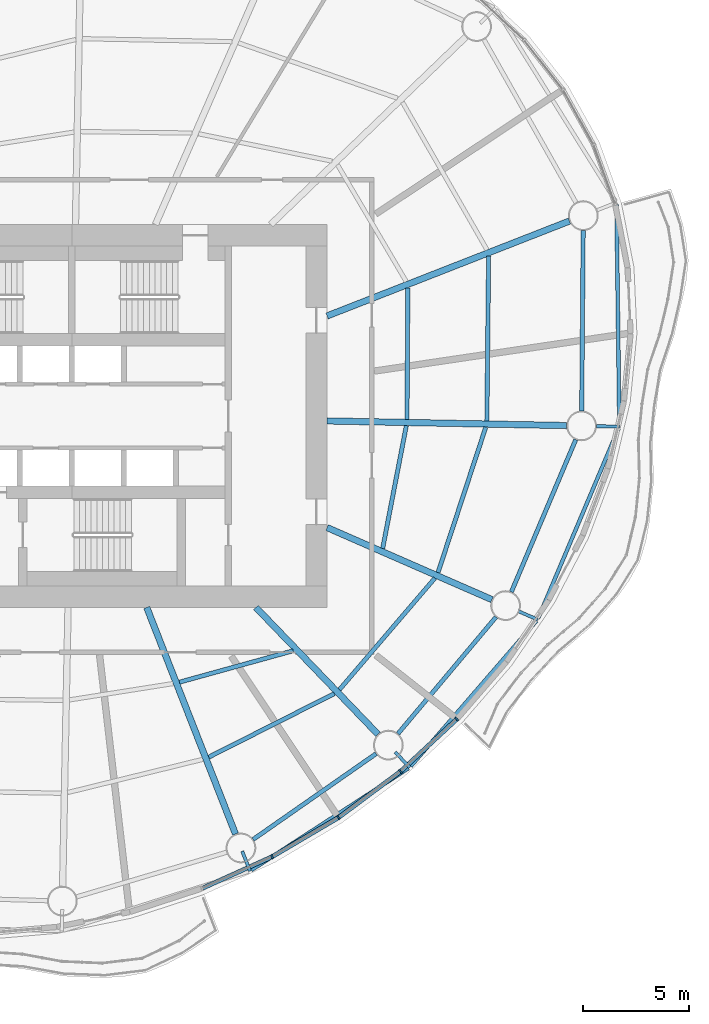
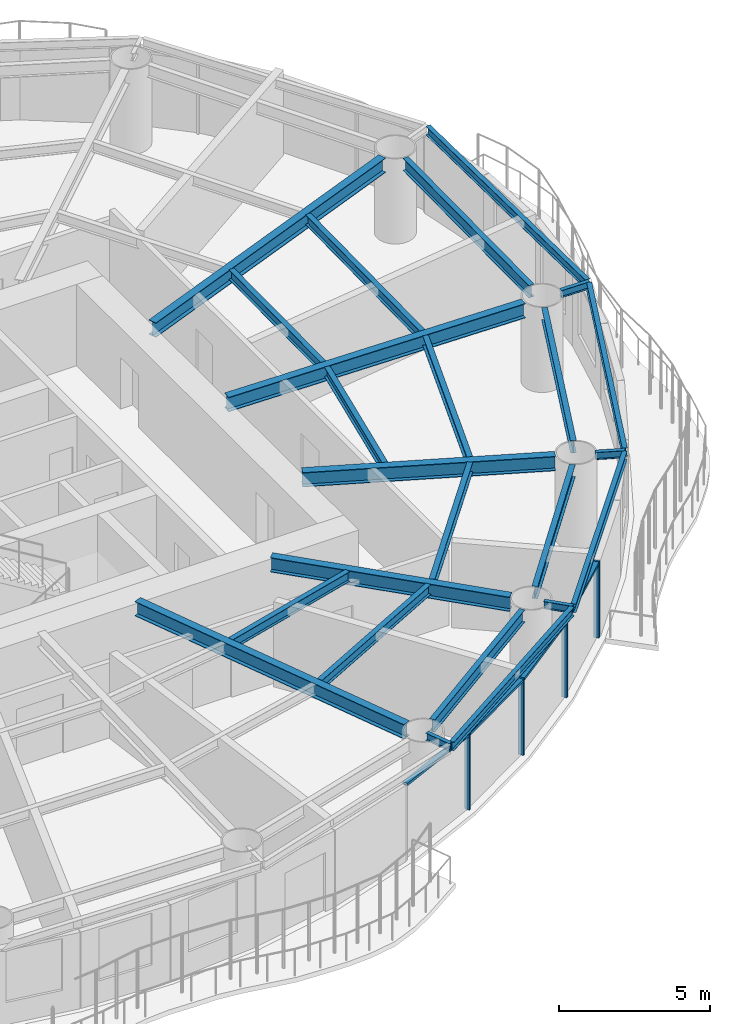
# One storey, part 4 of 15: 24 beams, 8 members, 4 elements without a shape of their own.
"""IFC4 building model written with IfcOpenShell, lengths in metres."""

from ifc_helpers import new_model, si_unit, direction, frame, origin, origin_2d, place, context, subcontext, project, spatial, rectangle, i_section, extrude, material, material_profile, profile_set, type_object, element, aggregate, save


model = new_model("IFC4")

# Units and contexts
model_context = context("Model", 3, precision=1e-05, world=origin(), true_north=direction((0.0, 1.0)))
body_context = subcontext(model_context, "Body", "Model", "MODEL_VIEW")
ifc_project = project(units=[si_unit("LENGTHUNIT", "METRE"), si_unit("AREAUNIT", "SQUARE_METRE"), si_unit("VOLUMEUNIT", "CUBIC_METRE"), si_unit("PLANEANGLEUNIT", "RADIAN"), si_unit("MASSUNIT", "GRAM", prefix="KILO")], contexts=[model_context])

# Site, building, storey
site_placement = place(None, origin())
site = spatial("IfcSite", under=ifc_project, at=site_placement, CompositionType="ELEMENT")
building_placement = place(site_placement, origin())
building = spatial("IfcBuilding", under=site, at=building_placement, Name="Vermilion Reach Broadcast Tower", CompositionType="ELEMENT")
storey_placement = place(building_placement, frame((0.0, 0.0, 168.60009765625)))
storey = spatial("IfcBuildingStorey", under=building, at=storey_placement, Name="L40", CompositionType="ELEMENT", Elevation=168.60009765625)

# Beams
ifc_material_1 = material(Name="Steel S355J2", Category="steel")
ifc_material_profile_1 = material_profile(ifc_material_1, i_section(OverallWidth=0.175048828125, OverallDepth=0.35009765625, WebThickness=0.007080078125, FlangeThickness=0.010986328125, at=origin_2d()), Name="S355J2 HN 350x175x7x11")
ifc_profile_set_1 = profile_set([ifc_material_profile_1], Name="Steel S355J2")
beam_type_1 = type_object("IfcBeamType", Name="EB3 HN 350x175x7x11", PredefinedType="BEAM", material=ifc_profile_set_1)
beam_1_placement = place(storey_placement, frame((2.44091796875, -21.34375, 3.27490234375), z_axis=(0.838909922542, 0.54427028383, 0.0), x_axis=(-0.54427028383, 0.838909922542, 0.0)))
element("IfcBeam", 1, at=beam_1_placement, inside=storey, type_object=beam_type_1, Name="Edge beam EB3-12", PredefinedType="BEAM", context=body_context, shape_type="SweptSolid", body=[
    extrude(i_section(OverallWidth=0.175048828125, OverallDepth=0.35009765625, WebThickness=0.007080078125, FlangeThickness=0.010986328125, at=origin_2d()), origin(), (0.0, 0.0, 1.0), 8.798095703125),
])
beam_2_placement = place(storey_placement, frame((9.93505859375, -16.45654296875, 3.27490234375), z_axis=(0.654203362196, 0.756318690031, 0.0), x_axis=(-0.756318690031, 0.654203362196, 0.0)))
element("IfcBeam", 2, at=beam_2_placement, inside=storey, type_object=beam_type_1, Name="Edge beam EB3-13", PredefinedType="BEAM", context=body_context, shape_type="SweptSolid", body=[
    extrude(i_section(OverallWidth=0.175048828125, OverallDepth=0.35009765625, WebThickness=0.007080078125, FlangeThickness=0.010986328125, at=origin_2d()), origin(), (0.0, 0.0, 1.0), 9.02783203125),
])
beam_3_placement = place(storey_placement, frame((15.921875, -9.5, 3.27490234375), z_axis=(0.390092585796, 0.920775637442, 0.0), x_axis=(-0.920775637442, 0.390092585796, 0.0)))
element("IfcBeam", 3, at=beam_3_placement, inside=storey, type_object=beam_type_1, Name="Edge beam EB3-14", PredefinedType="BEAM", context=body_context, shape_type="SweptSolid", body=[
    extrude(i_section(OverallWidth=0.175048828125, OverallDepth=0.35009765625, WebThickness=0.007080078125, FlangeThickness=0.010986328125, at=origin_2d()), origin(), (0.0, 0.0, 1.0), 9.695068359375),
])
beam_4_placement = place(storey_placement, frame((19.734375, -0.423583984375, 3.27490234375), z_axis=(-0.012923258008, 0.999916491214, 0.0), x_axis=(-0.999916491214, -0.012923258008, 0.0)))
element("IfcBeam", 4, at=beam_4_placement, inside=storey, type_object=beam_type_1, Name="Edge beam EB3-15", PredefinedType="BEAM", context=body_context, shape_type="SweptSolid", body=[
    extrude(i_section(OverallWidth=0.175048828125, OverallDepth=0.35009765625, WebThickness=0.007080078125, FlangeThickness=0.010986328125, at=origin_2d()), origin(), (0.0, 0.0, 1.0), 10.37158203125),
])
ifc_material_2 = material(Name="Steel S355J2", Category="steel")
ifc_material_profile_2 = material_profile(ifc_material_2, i_section(OverallWidth=0.300048828125, OverallDepth=0.587890625, WebThickness=0.011962890625, FlangeThickness=0.02001953125, at=origin_2d()), Name="S355J2 HM 588x300x12x20")
ifc_profile_set_2 = profile_set([ifc_material_profile_2], Name="Steel S355J2")
beam_type_2 = type_object("IfcBeamType", Name="G3 HM 588x300x12x20", PredefinedType="BEAM", material=ifc_profile_set_2)
beam_5_placement = place(storey_placement, frame((-2.474853515625, -9.0, 3.156005859375), z_axis=(0.364715649973, -0.931118947646, 0.0), x_axis=(0.931118947646, 0.364715649973, 0.0)))
element("IfcBeam", 5, at=beam_5_placement, inside=storey, type_object=beam_type_2, Name="Girder G3-12", PredefinedType="BEAM", context=body_context, shape_type="SweptSolid", body=[
    extrude(i_section(OverallWidth=0.300048828125, OverallDepth=0.587890625, WebThickness=0.011962890625, FlangeThickness=0.02001953125, at=origin_2d()), origin(), (0.0, 0.0, 1.0), 11.436767578125),
])
beam_6_placement = place(storey_placement, frame((2.657958984375, -9.0, 3.156005859375), z_axis=(0.693282657492, -0.72066577331, 0.0), x_axis=(0.72066577331, 0.693282657492, 0.0)))
element("IfcBeam", 6, at=beam_6_placement, inside=storey, type_object=beam_type_2, Name="Girder G3-13", PredefinedType="BEAM", context=body_context, shape_type="SweptSolid", body=[
    extrude(i_section(OverallWidth=0.300048828125, OverallDepth=0.587890625, WebThickness=0.011962890625, FlangeThickness=0.02001953125, at=origin_2d()), origin(), (0.0, 0.0, 1.0), 8.273681640625),
])
beam_7_placement = place(storey_placement, frame((6.0, -5.2451171875, 3.156005859375), z_axis=(0.916287847036, -0.400520388213, 0.0), x_axis=(0.400520388213, 0.916287847036, 0.0)))
element("IfcBeam", 7, at=beam_7_placement, inside=storey, type_object=beam_type_2, Name="Girder G3-14", PredefinedType="BEAM", context=body_context, shape_type="SweptSolid", body=[
    extrude(i_section(OverallWidth=0.300048828125, OverallDepth=0.587890625, WebThickness=0.011962890625, FlangeThickness=0.02001953125, at=origin_2d()), origin(), (0.0, 0.0, 1.0), 8.45458984375),
])
beam_8_placement = place(storey_placement, frame((6.0, -0.232421875, 3.156005859375), z_axis=(0.999812170888, -0.019380994401, 0.0), x_axis=(0.019380994401, 0.999812170888, 0.0)))
element("IfcBeam", 8, at=beam_8_placement, inside=storey, type_object=beam_type_2, Name="Girder G3-15", PredefinedType="BEAM", context=body_context, shape_type="SweptSolid", body=[
    extrude(i_section(OverallWidth=0.300048828125, OverallDepth=0.587890625, WebThickness=0.011962890625, FlangeThickness=0.02001953125, at=origin_2d()), origin(), (0.0, 0.0, 1.0), 11.26171875),
])
beam_9_placement = place(storey_placement, frame((6.0, 4.700439453125, 3.156005859375), z_axis=(0.931124635714, 0.364701128004, 0.0), x_axis=(-0.364701128004, 0.931124635714, 0.0)))
element("IfcBeam", 9, at=beam_9_placement, inside=storey, type_object=beam_type_2, Name="Girder G3-16", PredefinedType="BEAM", context=body_context, shape_type="SweptSolid", body=[
    extrude(i_section(OverallWidth=0.300048828125, OverallDepth=0.587890625, WebThickness=0.011962890625, FlangeThickness=0.02001953125, at=origin_2d()), origin(), (0.0, 0.0, 1.0), 12.231201171875),
])
ifc_material_3 = material(Name="Steel S355J2", Category="steel")
ifc_material_profile_3 = material_profile(ifc_material_3, i_section(OverallWidth=0.14990234375, OverallDepth=0.300048828125, WebThickness=0.006591796875, FlangeThickness=0.009033203125, at=origin_2d()), Name="S355J2 HN 300x150x6.5x9")
ifc_profile_set_3 = profile_set([ifc_material_profile_3], Name="Steel S355J2")
beam_type_3 = type_object("IfcBeamType", Name="GS3 HN 300x150x6.5x9", PredefinedType="BEAM", material=ifc_profile_set_3)
for number, where, z_axis, x_axis, name in (
    (10, (2.011962890625, -20.454345703125, 3.2998046875), (0.364730702407, -0.931113051526, 0.0), (0.931113051526, 0.364730702407, 0.0), "Cantilever stub GS3-12"),
    (11, (9.1923828125, -15.79296875, 3.2998046875), (0.693425818408, -0.720528024691, 0.0), (0.720528024691, 0.693425818408, 0.0), "Cantilever stub GS3-13"),
    (12, (14.976318359375, -9.168701171875, 3.2998046875), (0.916330962408, -0.400421736837, 0.0), (0.400421736837, 0.916330962408, 0.0), "Cantilever stub GS3-14"),
):
    element("IfcBeam", number, at=place(storey_placement, frame(where, z_axis=z_axis, x_axis=x_axis)), inside=storey, type_object=beam_type_3, Name=name, PredefinedType="BEAM", context=body_context, shape_type="SweptSolid", body=[
        extrude(i_section(OverallWidth=0.14990234375, OverallDepth=0.300048828125, WebThickness=0.006591796875, FlangeThickness=0.009033203125, at=origin_2d()), origin(), (0.0, 0.0, 1.0), 1.0),
    ])
beam_10_placement = place(storey_placement, frame((18.659423828125, -0.477783203125, 3.2998046875), z_axis=(0.999814048107, -0.019283910617, 0.0), x_axis=(0.019283910617, 0.999814048107, 0.0)))
element("IfcBeam", 13, at=beam_10_placement, inside=storey, type_object=beam_type_3, Name="Cantilever stub GS3-15", PredefinedType="BEAM", context=body_context, shape_type="SweptSolid", body=[
    extrude(i_section(OverallWidth=0.14990234375, OverallDepth=0.300048828125, WebThickness=0.006591796875, FlangeThickness=0.009033203125, at=origin_2d()), origin(), (0.0, 0.0, 1.0), 1.076171875),
])
ifc_material_4 = material(Name="Steel S355J2", Category="steel")
ifc_material_profile_4 = material_profile(ifc_material_4, i_section(OverallWidth=0.199951171875, OverallDepth=0.5, WebThickness=0.010009765625, FlangeThickness=0.01611328125, at=origin_2d()), Name="S355J2 HN 500x200x10x16")
ifc_profile_set_4 = profile_set([ifc_material_profile_4], Name="Steel S355J2")
beam_type_4 = type_object("IfcBeamType", Name="RB3 HN 500x200x10x16", PredefinedType="BEAM", material=ifc_profile_set_4)
beam_11_placement = place(storey_placement, frame((2.525634765625, -19.900146484375, 3.199951171875), z_axis=(0.820111453349, 0.572203813415, 0.0), x_axis=(-0.572203813415, 0.820111453349, 0.0)))
element("IfcBeam", 14, at=beam_11_placement, inside=storey, type_object=beam_type_4, Name="Ring beam RB3-12", PredefinedType="BEAM", context=body_context, shape_type="SweptSolid", body=[
    extrude(i_section(OverallWidth=0.199951171875, OverallDepth=0.5, WebThickness=0.010009765625, FlangeThickness=0.01611328125, at=origin_2d()), origin(), (0.0, 0.0, 1.0), 7.04736328125),
])
beam_12_placement = place(storey_placement, frame((9.32958984375, -14.931396484375, 3.199951171875), z_axis=(0.643350337931, 0.765571905626, 0.0), x_axis=(-0.765571905626, 0.643350337931, 0.0)))
element("IfcBeam", 15, at=beam_12_placement, inside=storey, type_object=beam_type_4, Name="Ring beam RB3-13", PredefinedType="BEAM", context=body_context, shape_type="SweptSolid", body=[
    extrude(i_section(OverallWidth=0.199951171875, OverallDepth=0.5, WebThickness=0.010009765625, FlangeThickness=0.01611328125, at=origin_2d()), origin(), (0.0, 0.0, 1.0), 7.1630859375),
])
beam_13_placement = place(storey_placement, frame((14.660888671875, -8.266845703125, 3.199951171875), z_axis=(0.389368386196, 0.921082113512, 0.0), x_axis=(-0.921082113512, 0.389368386196, 0.0)))
element("IfcBeam", 16, at=beam_13_placement, inside=storey, type_object=beam_type_4, Name="Ring beam RB3-14", PredefinedType="BEAM", context=body_context, shape_type="SweptSolid", body=[
    extrude(i_section(OverallWidth=0.199951171875, OverallDepth=0.5, WebThickness=0.010009765625, FlangeThickness=0.01611328125, at=origin_2d()), origin(), (0.0, 0.0, 1.0), 7.771240234375),
])
beam_14_placement = place(storey_placement, frame((17.965087890625, 0.23583984375, 3.199951171875), z_axis=(0.008204232036, 0.999966344722, 0.0), x_axis=(-0.999966344722, 0.008204232036, 0.0)))
element("IfcBeam", 17, at=beam_14_placement, inside=storey, type_object=beam_type_4, Name="Ring beam RB3-15", PredefinedType="BEAM", context=body_context, shape_type="SweptSolid", body=[
    extrude(i_section(OverallWidth=0.199951171875, OverallDepth=0.5, WebThickness=0.010009765625, FlangeThickness=0.01611328125, at=origin_2d()), origin(), (0.0, 0.0, 1.0), 8.48095703125),
])
ifc_material_5 = material(Name="Steel S355J2", Category="steel")
ifc_material_profile_5 = material_profile(ifc_material_5, i_section(OverallWidth=0.199951171875, OverallDepth=0.39990234375, WebThickness=0.008056640625, FlangeThickness=0.012939453125, at=origin_2d()), Name="S355J2 HN 400x200x8x13")
ifc_profile_set_5 = profile_set([ifc_material_profile_5], Name="Steel S355J2")
beam_type_5 = type_object("IfcBeamType", Name="SB3 HN 400x200x8x13", PredefinedType="BEAM", material=ifc_profile_set_5)
beam_15_placement = place(storey_placement, frame((-0.93896484375, -12.509521484375, 3.25), z_axis=(0.963889790258, 0.266301468708, 0.0), x_axis=(-0.266301468708, 0.963889790258, 0.0)))
element("IfcBeam", 18, at=beam_15_placement, inside=storey, type_object=beam_type_5, Name="Secondary beam SB3-12-1", PredefinedType="BEAM", context=body_context, shape_type="SweptSolid", body=[
    extrude(i_section(OverallWidth=0.199951171875, OverallDepth=0.39990234375, WebThickness=0.008056640625, FlangeThickness=0.012939453125, at=origin_2d()), origin(), (0.0, 0.0, 1.0), 5.544677734375),
])
beam_16_placement = place(storey_placement, frame((0.4404296875, -16.03125, 3.25), z_axis=(0.892320561657, 0.451402276516, 0.0), x_axis=(-0.451402276516, 0.892320561657, 0.0)))
element("IfcBeam", 19, at=beam_16_placement, inside=storey, type_object=beam_type_5, Name="Secondary beam SB3-12-2", PredefinedType="BEAM", context=body_context, shape_type="SweptSolid", body=[
    extrude(i_section(OverallWidth=0.199951171875, OverallDepth=0.39990234375, WebThickness=0.008056640625, FlangeThickness=0.012939453125, at=origin_2d()), origin(), (0.0, 0.0, 1.0), 6.613525390625),
])
beam_17_placement = place(storey_placement, frame((6.579833984375, -12.860595703125, 3.25), z_axis=(0.650167134505, 0.759791219487, 0.0), x_axis=(-0.759791219487, 0.650167134505, 0.0)))
element("IfcBeam", 20, at=beam_17_placement, inside=storey, type_object=beam_type_5, Name="Secondary beam SB3-13-2", PredefinedType="BEAM", context=body_context, shape_type="SweptSolid", body=[
    extrude(i_section(OverallWidth=0.199951171875, OverallDepth=0.39990234375, WebThickness=0.008056640625, FlangeThickness=0.012939453125, at=origin_2d()), origin(), (0.0, 0.0, 1.0), 6.89501953125),
])
beam_18_placement = place(storey_placement, frame((8.611328125, -6.222900390625, 3.25), z_axis=(0.189462365782, 0.981887983404, 0.0), x_axis=(-0.981887983404, 0.189462365782, 0.0)))
element("IfcBeam", 21, at=beam_18_placement, inside=storey, type_object=beam_type_5, Name="Secondary beam SB3-14-1", PredefinedType="BEAM", context=body_context, shape_type="SweptSolid", body=[
    extrude(i_section(OverallWidth=0.199951171875, OverallDepth=0.39990234375, WebThickness=0.008056640625, FlangeThickness=0.012939453125, at=origin_2d()), origin(), (0.0, 0.0, 1.0), 5.874755859375),
])
beam_19_placement = place(storey_placement, frame((11.211669921875, -7.359375, 3.25), z_axis=(0.312243016281, 0.950002262515, 0.0), x_axis=(-0.950002262515, 0.312243016281, 0.0)))
element("IfcBeam", 22, at=beam_19_placement, inside=storey, type_object=beam_type_5, Name="Secondary beam SB3-14-2", PredefinedType="BEAM", context=body_context, shape_type="SweptSolid", body=[
    extrude(i_section(OverallWidth=0.199951171875, OverallDepth=0.39990234375, WebThickness=0.008056640625, FlangeThickness=0.012939453125, at=origin_2d()), origin(), (0.0, 0.0, 1.0), 7.19189453125),
])
beam_20_placement = place(storey_placement, frame((9.754150390625, -0.1552734375, 3.25), z_axis=(0.006635449147, 0.999977985165, 0.0), x_axis=(-0.999977985165, 0.006635449147, 0.0)))
element("IfcBeam", 23, at=beam_20_placement, inside=storey, type_object=beam_type_5, Name="Secondary beam SB3-15-1", PredefinedType="BEAM", context=body_context, shape_type="SweptSolid", body=[
    extrude(i_section(OverallWidth=0.199951171875, OverallDepth=0.39990234375, WebThickness=0.008056640625, FlangeThickness=0.012939453125, at=origin_2d()), origin(), (0.0, 0.0, 1.0), 6.181396484375),
])
beam_21_placement = place(storey_placement, frame((13.508056640625, -0.22802734375, 3.25), z_axis=(0.010691708672, 0.999942842049, 0.0), x_axis=(-0.999942842049, 0.010691708672, 0.0)))
element("IfcBeam", 24, at=beam_21_placement, inside=storey, type_object=beam_type_5, Name="Secondary beam SB3-15-2", PredefinedType="BEAM", context=body_context, shape_type="SweptSolid", body=[
    extrude(i_section(OverallWidth=0.199951171875, OverallDepth=0.39990234375, WebThickness=0.008056640625, FlangeThickness=0.012939453125, at=origin_2d()), origin(), (0.0, 0.0, 1.0), 7.740966796875),
])

# Curtain wall, member
ifc_material_6 = material(Name="Low-e laminated clear glass in aluminium frame", Category="aluminium")
curtain_wall_type = type_object("IfcCurtainWallType", Name="Slot curtain wall", PredefinedType="NOTDEFINED", material=ifc_material_6)
placement = place(storey_placement, origin())
curtain_wall_1 = element("IfcCurtainWall", 25, at=placement, inside=storey, type_object=curtain_wall_type, Name="Slot curtain wall L40 35", PredefinedType="NOTDEFINED")
ifc_material_7 = material(Name="Anodised aluminium", Category="aluminium")
ifc_material_profile_6 = material_profile(ifc_material_7, rectangle(XDim=0.199951171875, YDim=0.080078125, at=origin_2d()), Name="Slot mullion 80 x 200")
ifc_profile_set_6 = profile_set([ifc_material_profile_6], Name="Anodised aluminium")
member_type_1 = type_object("IfcMemberType", Name="Slot mullion 80 x 200", PredefinedType="MULLION", material=ifc_profile_set_6)
member_1_placement = place(storey_placement, frame((3.411376953125, -20.714599609375, 0.0), z_axis=(0.0, 0.0, 1.0), x_axis=(-0.460727605702, 0.887541589642, 0.0)))
member_1 = element("IfcMember", 26, at=member_1_placement, type_object=member_type_1, Name="Slot mullion L40 35", PredefinedType="MULLION", context=body_context, shape_type="SweptSolid", body=[
    extrude(rectangle(XDim=0.199951171875, YDim=0.080078125, at=origin_2d()), origin(), (0.0, 0.0, 1.0), 3.099853515625),
])

curtain_wall_2 = element("IfcCurtainWall", 27, at=placement, inside=storey, type_object=curtain_wall_type, Name="Slot curtain wall L40 36", PredefinedType="NOTDEFINED")
member_2_placement = place(storey_placement, frame((6.537841796875, -18.87109375, 0.0), z_axis=(0.0, 0.0, 1.0), x_axis=(-0.553391581996, 0.832921218949, 0.0)))
member_2 = element("IfcMember", 28, at=member_2_placement, type_object=member_type_1, Name="Slot mullion L40 36", PredefinedType="MULLION", context=body_context, shape_type="SweptSolid", body=[
    extrude(rectangle(XDim=0.199951171875, YDim=0.080078125, at=origin_2d()), origin(), (0.0, 0.0, 1.0), 3.099853515625),
])

# Curtain wall, members
curtain_wall_3 = element("IfcCurtainWall", 29, at=placement, inside=storey, type_object=curtain_wall_type, Name="Slot curtain wall L40 37", PredefinedType="NOTDEFINED")
member_3_placement = place(storey_placement, frame((9.448974609375, -16.703125, 0.0), z_axis=(0.0, 0.0, 1.0), x_axis=(-0.639652808957, 0.768663960384, 0.0)))
member_3 = element("IfcMember", 30, at=member_3_placement, type_object=member_type_1, Name="Slot mullion L40 37", PredefinedType="MULLION", context=body_context, shape_type="SweptSolid", body=[
    extrude(rectangle(XDim=0.199951171875, YDim=0.080078125, at=origin_2d()), origin(), (0.0, 0.0, 1.0), 3.099853515625),
])
member_4_placement = place(storey_placement, frame((12.094482421875, -14.24853515625, 0.0), z_axis=(0.0, 0.0, 1.0), x_axis=(-0.719351874609, 0.694645866968, 0.0)))
member_4 = element("IfcMember", 31, at=member_4_placement, type_object=member_type_1, Name="Slot mullion L40 38", PredefinedType="MULLION", context=body_context, shape_type="SweptSolid", body=[
    extrude(rectangle(XDim=0.199951171875, YDim=0.080078125, at=origin_2d()), origin(), (0.0, 0.0, 1.0), 3.099853515625),
])

# Curtain wall, member
curtain_wall_4 = element("IfcCurtainWall", 32, at=placement, inside=storey, type_object=curtain_wall_type, Name="Slot curtain wall L40 34", PredefinedType="NOTDEFINED")
ifc_material_8 = material(Name="Anodised aluminium", Category="aluminium")
ifc_material_profile_7 = material_profile(ifc_material_8, rectangle(XDim=0.199951171875, YDim=0.10009765625, at=origin_2d()), Name="Slot transom 200 x 100")
ifc_profile_set_7 = profile_set([ifc_material_profile_7], Name="Anodised aluminium")
member_type_2 = type_object("IfcMemberType", Name="Slot transom 200 x 100", PredefinedType="USERDEFINED", material=ifc_profile_set_7)
member_5_placement = place(storey_placement, frame((0.15966796875, -22.185791015625, 3.0498046875), z_axis=(0.911092457396, 0.412202054914, 0.0), x_axis=(-0.412202054914, 0.911092457396, 0.0)))
member_5 = element("IfcMember", 33, at=member_5_placement, type_object=member_type_2, Name="Slot transom L40 34.1", ObjectType="TRANSOM", PredefinedType="USERDEFINED", context=body_context, shape_type="SweptSolid", body=[
    extrude(rectangle(XDim=0.199951171875, YDim=0.10009765625, at=origin_2d()), origin(), (0.0, 0.0, 1.0), 3.52880859375),
])
aggregate(curtain_wall_4, [member_5])

# Member
member_6_placement = place(storey_placement, frame((3.44580078125, -20.6943359375, 3.0498046875), z_axis=(0.861394453903, 0.507936605084, 0.0), x_axis=(-0.507936605084, 0.861394453903, 0.0)))
member_6 = element("IfcMember", 34, at=member_6_placement, type_object=member_type_2, Name="Slot transom L40 35.1", ObjectType="TRANSOM", PredefinedType="USERDEFINED", context=body_context, shape_type="SweptSolid", body=[
    extrude(rectangle(XDim=0.199951171875, YDim=0.10009765625, at=origin_2d()), origin(), (0.0, 0.0, 1.0), 3.549560546875),
])

aggregate(curtain_wall_1, [member_1, member_6])

member_7_placement = place(storey_placement, frame((6.570068359375, -18.84716796875, 3.0498046875), z_axis=(0.802033997106, 0.597278383575, 0.0), x_axis=(-0.597278383575, 0.802033997106, 0.0)))
member_7 = element("IfcMember", 35, at=member_7_placement, type_object=member_type_2, Name="Slot transom L40 36.1", ObjectType="TRANSOM", PredefinedType="USERDEFINED", context=body_context, shape_type="SweptSolid", body=[
    extrude(rectangle(XDim=0.199951171875, YDim=0.10009765625, at=origin_2d()), origin(), (0.0, 0.0, 1.0), 3.549560546875),
])

aggregate(curtain_wall_2, [member_2, member_7])

member_8_placement = place(storey_placement, frame((9.478515625, -16.676025390625, 3.0498046875), z_axis=(0.733007831867, 0.680220198482, 0.0), x_axis=(-0.680220198482, 0.733007831867, 0.0)))
member_8 = element("IfcMember", 36, at=member_8_placement, type_object=member_type_2, Name="Slot transom L40 37.1", ObjectType="TRANSOM", PredefinedType="USERDEFINED", context=body_context, shape_type="SweptSolid", body=[
    extrude(rectangle(XDim=0.199951171875, YDim=0.10009765625, at=origin_2d()), origin(), (0.0, 0.0, 1.0), 3.52880859375),
])

aggregate(curtain_wall_3, [member_3, member_4, member_8])

save(model, "model.ifc")
